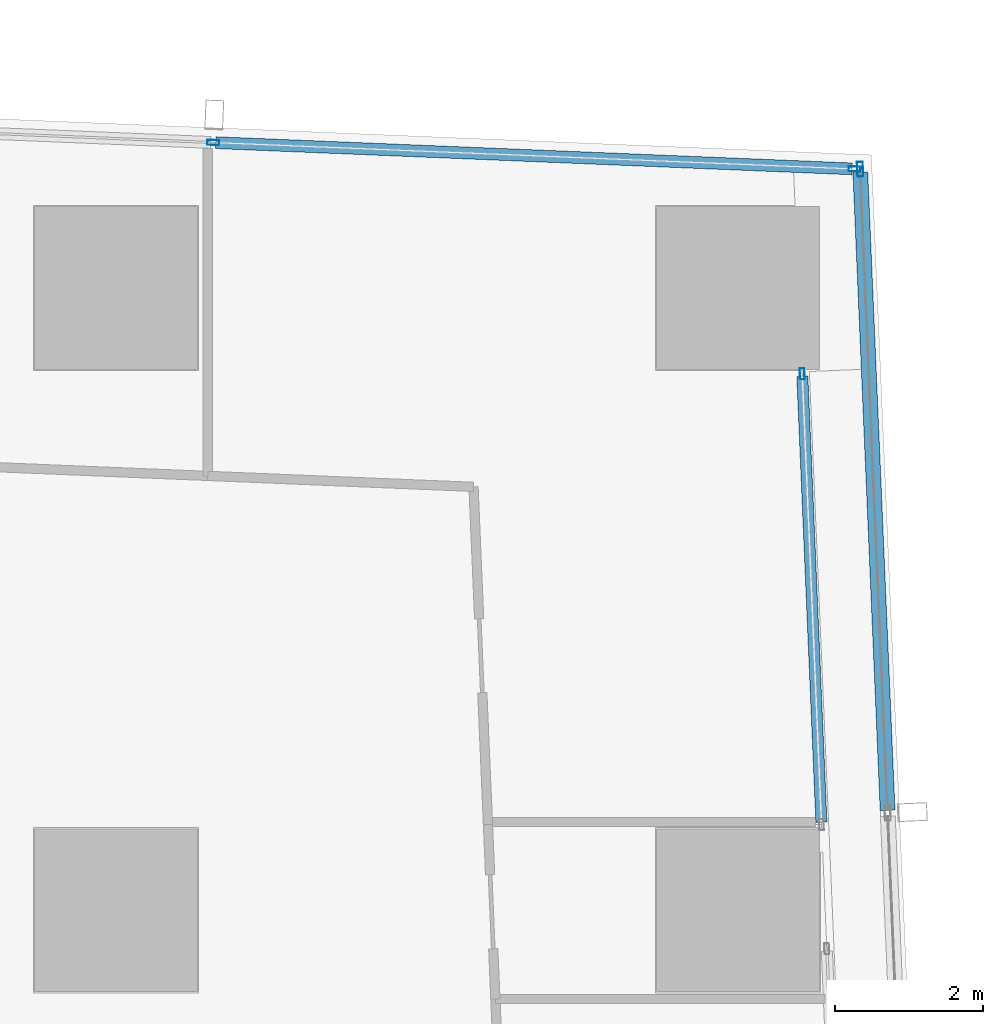
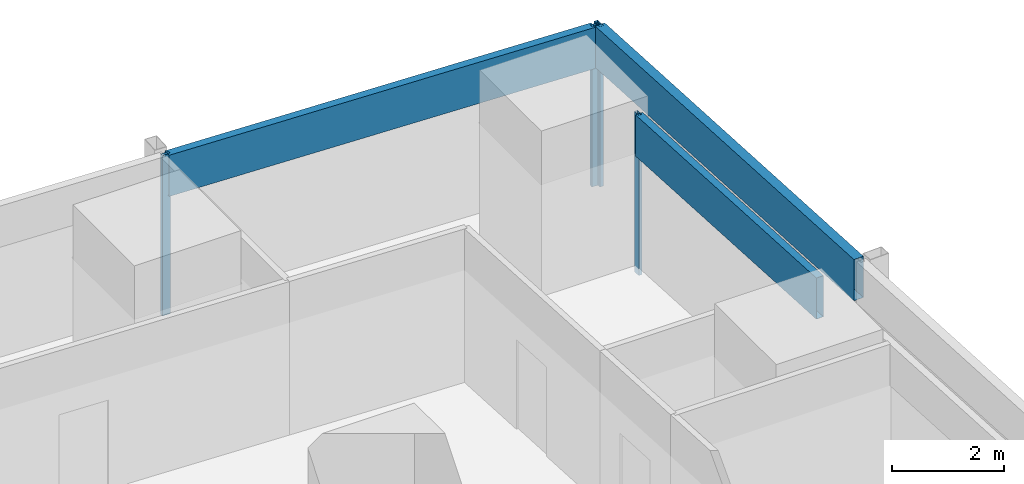
# One storey, part 23 of 45: 7 members, 3 elements without a shape of their own.
"""IFC4 building model written with IfcOpenShell, lengths in metres."""

from ifc_helpers import new_model, si_unit, direction, frame, origin, origin_2d, place, context, subcontext, project, spatial, hollow_rectangle, extrude, material, material_profile, profile_set, type_object, element, aggregate, save


model = new_model("IFC4")

# Units and contexts
model_context = context("Model", 3, precision=1e-05, world=origin(), true_north=direction((0.0, 1.0)))
body_context = subcontext(model_context, "Body", "Model", "MODEL_VIEW")
ifc_project = project(units=[si_unit("LENGTHUNIT", "METRE"), si_unit("AREAUNIT", "SQUARE_METRE"), si_unit("VOLUMEUNIT", "CUBIC_METRE"), si_unit("PLANEANGLEUNIT", "RADIAN"), si_unit("MASSUNIT", "GRAM", prefix="KILO")], contexts=[model_context])

# Site, building, storey
site_placement = place(None, origin())
site = spatial("IfcSite", under=ifc_project, at=site_placement, CompositionType="ELEMENT")
building_placement = place(site_placement, origin())
building = spatial("IfcBuilding", under=site, at=building_placement, Name="Rekha Terrace Tower", CompositionType="ELEMENT")
storey_placement = place(building_placement, frame((0.0, 0.0, 36.64990234375)))
storey = spatial("IfcBuildingStorey", under=building, at=storey_placement, Name="L08", CompositionType="ELEMENT", Elevation=36.64990234375)

# Curtain wall, members
ifc_material_1 = material(Name="Aluminium framing", Category="aluminium")
curtain_wall_type_1 = type_object("IfcCurtainWallType", Name="CW1 double skin inner glazing", PredefinedType="USERDEFINED", material=ifc_material_1)
curtain_wall_1_placement = place(storey_placement, origin())
curtain_wall_1 = element("IfcCurtainWall", 1, at=curtain_wall_1_placement, inside=storey, type_object=curtain_wall_type_1, Name="CW1 double skin inner glazing", ObjectType="DOUBLE SKIN INNER GLAZING", PredefinedType="USERDEFINED")
ifc_material_2 = material(Name="Aluminium mullion section", Category="aluminium")
ifc_material_profile_1 = material_profile(ifc_material_2, hollow_rectangle(XDim=0.06494140625, YDim=0.14990234375, WallThickness=0.00390625, at=origin_2d()), Name="AL RHS 65x150")
ifc_profile_set_1 = profile_set([ifc_material_profile_1], Name="Aluminium mullion section")
member_type_1 = type_object("IfcMemberType", Name="CW1 mullion RHS 65 x 150", PredefinedType="MULLION", material=ifc_profile_set_1)
member_1_placement = place(storey_placement, frame((68.0654296875, 57.6435546875, 0.0), z_axis=(0.0, 0.0, 1.0), x_axis=(-0.9990881069, -0.042696073026, 0.0)))
member_1 = element("IfcMember", 2, at=member_1_placement, type_object=member_type_1, Name="CW1 mullion 2", PredefinedType="MULLION", context=body_context, shape_type="SweptSolid", body=[
    extrude(hollow_rectangle(XDim=0.06494140625, YDim=0.14990234375, WallThickness=0.00390625, at=origin_2d()), origin(), (0.0, 0.0, 1.0), 3.5),
])
ifc_material_3 = material(Name="Insulated aluminium spandrel box", Category="aluminium")
ifc_material_profile_2 = material_profile(ifc_material_3, hollow_rectangle(XDim=0.14990234375, YDim=0.89990234375, WallThickness=0.0029296875, at=origin_2d()), Name="AL SPANDREL BOX 150x900")
ifc_profile_set_2 = profile_set([ifc_material_profile_2], Name="Insulated aluminium spandrel box")
member_type_2 = type_object("IfcMemberType", Name="CW1 spandrel transom 150 x 900", PredefinedType="USERDEFINED", material=ifc_profile_set_2)
member_2_placement = place(storey_placement, frame((68.32421875, 51.5888671875, 3.050048828125), z_axis=(-0.042730627731, 0.999086629604, 0.0), x_axis=(-0.999086629604, -0.042730627731, 0.0)))
member_2 = element("IfcMember", 3, at=member_2_placement, type_object=member_type_2, Name="CW1 spandrel transom 1", ObjectType="TRANSOM", PredefinedType="USERDEFINED", context=body_context, shape_type="SweptSolid", body=[
    extrude(hollow_rectangle(XDim=0.14990234375, YDim=0.89990234375, WallThickness=0.0029296875, at=origin_2d()), origin(), (0.0, 0.0, 1.0), 6.02783203125),
])
aggregate(curtain_wall_1, [member_1, member_2])

curtain_wall_type_2 = type_object("IfcCurtainWallType", Name="CW2 double skin outer glazing", PredefinedType="USERDEFINED", material=ifc_material_1)
curtain_wall_2_placement = place(storey_placement, origin())
curtain_wall_2 = element("IfcCurtainWall", 4, at=curtain_wall_2_placement, inside=storey, type_object=curtain_wall_type_2, Name="CW2 double skin outer glazing", ObjectType="DOUBLE SKIN OUTER GLAZING", PredefinedType="USERDEFINED")
ifc_material_profile_3 = material_profile(ifc_material_2, hollow_rectangle(XDim=0.080078125, YDim=0.199951171875, WallThickness=0.00390625, at=origin_2d()), Name="AL RHS 80x200")
ifc_profile_set_3 = profile_set([ifc_material_profile_3], Name="Aluminium mullion section")
member_type_3 = type_object("IfcMemberType", Name="CW2 mullion RHS 80 x 200", PredefinedType="MULLION", material=ifc_profile_set_3)
member_3_placement = place(storey_placement, frame((68.84814453125, 60.40625, 0.0), z_axis=(0.0, 0.0, 1.0), x_axis=(-0.999088106903, -0.042696072956, 0.0)))
member_3 = element("IfcMember", 5, at=member_3_placement, type_object=member_type_3, Name="CW2 mullion 5", PredefinedType="MULLION", context=body_context, shape_type="SweptSolid", body=[
    extrude(hollow_rectangle(XDim=0.080078125, YDim=0.199951171875, WallThickness=0.00390625, at=origin_2d()), origin(), (0.0, 0.0, 1.0), 3.5),
])
ifc_material_profile_4 = material_profile(ifc_material_3, hollow_rectangle(XDim=0.199951171875, YDim=0.89990234375, WallThickness=0.0029296875, at=origin_2d()), Name="AL SPANDREL BOX 200x900")
ifc_profile_set_4 = profile_set([ifc_material_profile_4], Name="Insulated aluminium spandrel box")
member_type_4 = type_object("IfcMemberType", Name="CW2 spandrel transom 200 x 900", PredefinedType="USERDEFINED", material=ifc_profile_set_4)
member_4_placement = place(storey_placement, frame((69.218017578125, 51.750244140625, 3.050048828125), z_axis=(-0.042691483974, 0.999088303002, 0.0), x_axis=(-0.999088303002, -0.042691483974, 0.0)))
member_4 = element("IfcMember", 6, at=member_4_placement, type_object=member_type_4, Name="CW2 spandrel transom 4", ObjectType="TRANSOM", PredefinedType="USERDEFINED", context=body_context, shape_type="SweptSolid", body=[
    extrude(hollow_rectangle(XDim=0.199951171875, YDim=0.89990234375, WallThickness=0.0029296875, at=origin_2d()), origin(), (0.0, 0.0, 1.0), 8.623779296875),
])
aggregate(curtain_wall_2, [member_3, member_4])

curtain_wall_type_3 = type_object("IfcCurtainWallType", Name="CW3 north unitised glazing", PredefinedType="USERDEFINED", material=ifc_material_1)
curtain_wall_3_placement = place(storey_placement, origin())
curtain_wall_3 = element("IfcCurtainWall", 7, at=curtain_wall_3_placement, inside=storey, type_object=curtain_wall_type_3, Name="CW3 unitised curtain wall", ObjectType="UNITISED CURTAIN WALL", PredefinedType="USERDEFINED")
ifc_material_profile_5 = material_profile(ifc_material_2, hollow_rectangle(XDim=0.070068359375, YDim=0.159912109375, WallThickness=0.00390625, at=origin_2d()), Name="AL RHS 70x160")
ifc_profile_set_5 = profile_set([ifc_material_profile_5], Name="Aluminium mullion section")
member_type_5 = type_object("IfcMemberType", Name="CW3 mullion RHS 70 x 160", PredefinedType="MULLION", material=ifc_profile_set_5)
member_5_placement = place(storey_placement, frame((68.77294921875, 60.4091796875, 0.0), z_axis=(0.0, 0.0, 1.0), x_axis=(-0.041173846041, -0.999151997647, 0.0)))
member_5 = element("IfcMember", 8, at=member_5_placement, type_object=member_type_5, Name="CW3 mullion 1", PredefinedType="MULLION", context=body_context, shape_type="SweptSolid", body=[
    extrude(hollow_rectangle(XDim=0.070068359375, YDim=0.159912109375, WallThickness=0.00390625, at=origin_2d()), origin(), (0.0, 0.0, 1.0), 3.5),
])
member_6_placement = place(storey_placement, frame((60.111572265625, 60.76611328125, 0.0), z_axis=(0.0, 0.0, 1.0), x_axis=(-0.041173846041, -0.999151997647, 0.0)))
member_6 = element("IfcMember", 9, at=member_6_placement, type_object=member_type_5, Name="CW3 mullion 2", PredefinedType="MULLION", context=body_context, shape_type="SweptSolid", body=[
    extrude(hollow_rectangle(XDim=0.070068359375, YDim=0.159912109375, WallThickness=0.00390625, at=origin_2d()), origin(), (0.0, 0.0, 1.0), 3.5),
])
ifc_material_profile_6 = material_profile(ifc_material_3, hollow_rectangle(XDim=0.159912109375, YDim=0.89990234375, WallThickness=0.0029296875, at=origin_2d()), Name="AL SPANDREL BOX 160x900")
ifc_profile_set_6 = profile_set([ifc_material_profile_6], Name="Insulated aluminium spandrel box")
member_type_6 = type_object("IfcMemberType", Name="CW3 spandrel transom 160 x 900", PredefinedType="USERDEFINED", material=ifc_profile_set_6)
member_7_placement = place(storey_placement, frame((68.738037109375, 60.41064453125, 3.050048828125), z_axis=(-0.99915220621, 0.041168784604, 0.0), x_axis=(-0.041168784604, -0.99915220621, 0.0)))
member_7 = element("IfcMember", 10, at=member_7_placement, type_object=member_type_6, Name="CW3 spandrel transom 1", ObjectType="TRANSOM", PredefinedType="USERDEFINED", context=body_context, shape_type="SweptSolid", body=[
    extrude(hollow_rectangle(XDim=0.159912109375, YDim=0.89990234375, WallThickness=0.0029296875, at=origin_2d()), origin(), (0.0, 0.0, 1.0), 8.598876953125),
])
aggregate(curtain_wall_3, [member_5, member_6, member_7])

save(model, "model.ifc")
